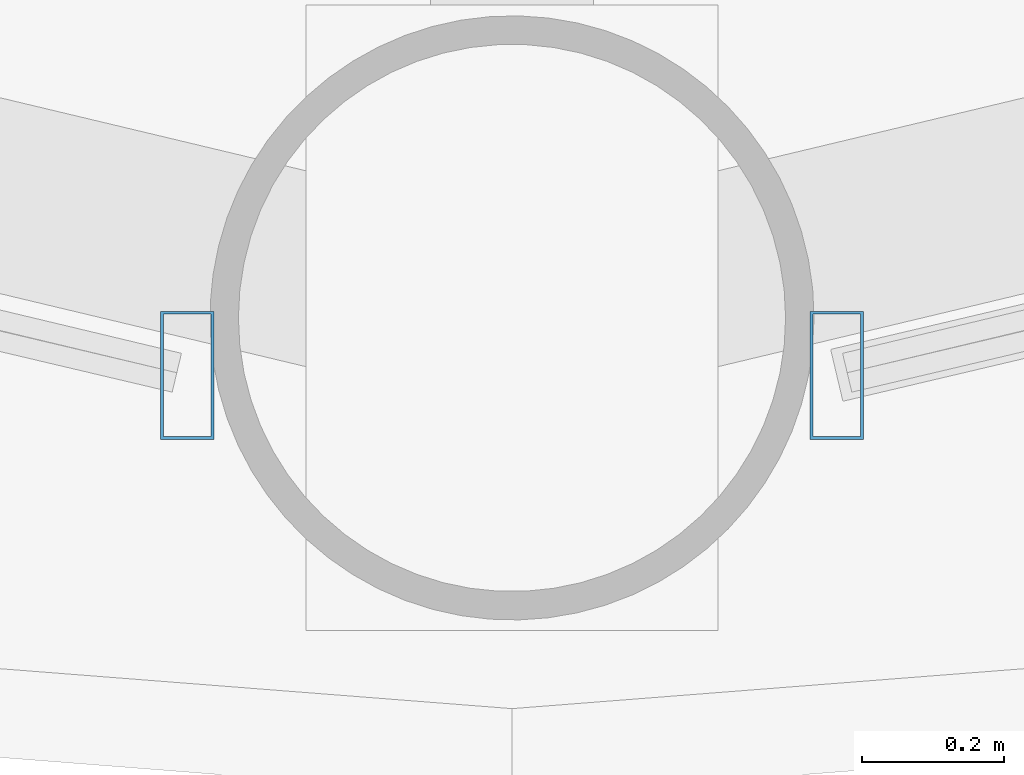
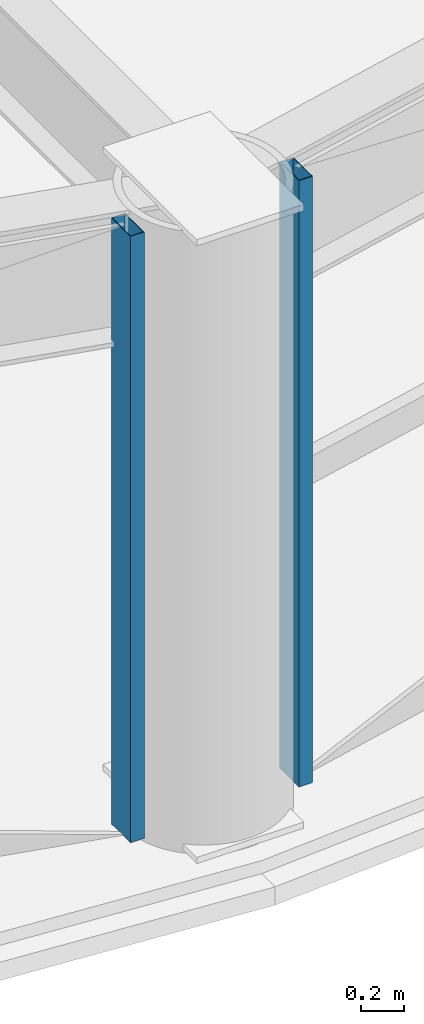
# One storey, part 4 of 30: 2 members, 2 elements without a shape of their own.
"""IFC4 building model written with IfcOpenShell, lengths in metres."""

from ifc_helpers import new_model, si_unit, direction, frame, origin, origin_2d, place, context, subcontext, project, spatial, hollow_rectangle, extrude, material, layer, layer_set, material_profile, profile_set, type_object, element, aggregate, save


model = new_model("IFC4")

# Units and contexts
model_context = context("Model", 3, precision=1e-05, world=origin(), true_north=direction((0.0, 1.0)))
body_context = subcontext(model_context, "Body", "Model", "MODEL_VIEW")
ifc_project = project(units=[si_unit("LENGTHUNIT", "METRE"), si_unit("AREAUNIT", "SQUARE_METRE"), si_unit("VOLUMEUNIT", "CUBIC_METRE"), si_unit("PLANEANGLEUNIT", "RADIAN"), si_unit("MASSUNIT", "GRAM", prefix="KILO")], contexts=[model_context])

# Site, building, storey
site_placement = place(None, origin())
site = spatial("IfcSite", under=ifc_project, at=site_placement, CompositionType="ELEMENT")
building_placement = place(site_placement, origin())
building = spatial("IfcBuilding", under=site, at=building_placement, Name="Vantalir Tower", CompositionType="ELEMENT")
storey_placement = place(building_placement, frame((0.0, 0.0, 83.25)))
storey = spatial("IfcBuildingStorey", under=building, at=storey_placement, Name="L20", CompositionType="ELEMENT", Elevation=83.25)

# Curtain wall, member
ifc_material_1 = material(Name="Champagne-silver PVDF aluminium and double-silver Low-E glass", Category="aluminium")
ifc_layer = layer(ifc_material_1, 0.18994140625)
ifc_layer_set = layer_set([ifc_layer], Name="Champagne-silver PVDF aluminium and double-silver Low-E glass")
curtain_wall_type = type_object("IfcCurtainWallType", Name="CW-DIAMOND-Z1", PredefinedType="USERDEFINED", material=ifc_layer_set)
curtain_wall_1_placement = place(storey_placement, origin())
curtain_wall_1 = element("IfcCurtainWall", 1, at=curtain_wall_1_placement, inside=storey, type_object=curtain_wall_type, Name="L20 Quilted Pyramid-Diamond Curtain Wall S09", ObjectType="UNITISED CURTAIN WALL", PredefinedType="USERDEFINED")
ifc_material_2 = material(Name="Champagne-silver PVDF aluminium 6063-T6", Category="aluminium")
ifc_material_profile = material_profile(ifc_material_2, hollow_rectangle(XDim=0.074951171875, YDim=0.179931640625, WallThickness=0.00390625, at=origin_2d()), Name="Champagne-silver PVDF aluminium 6063-T6")
ifc_profile_set = profile_set([ifc_material_profile], Name="Champagne-silver PVDF aluminium 6063-T6")
member_type = type_object("IfcMemberType", Name="CWM-180x75", PredefinedType="MULLION", material=ifc_profile_set)
member_1_placement = place(storey_placement, frame((31.04296875, 0.424072265625, 0.044921875), z_axis=(0.0, 0.0, 1.0), x_axis=(1.0, 0.0, 0.0)))
member_1 = element("IfcMember", 2, at=member_1_placement, type_object=member_type, Name="CW-L20-S09 Mullion 2", PredefinedType="MULLION", context=body_context, shape_type="SweptSolid", body=[
    extrude(hollow_rectangle(XDim=0.074951171875, YDim=0.179931640625, WallThickness=0.00390625, at=origin_2d()), origin(), (0.0, 0.0, 1.0), 3.47998046875),
])
aggregate(curtain_wall_1, [member_1])

curtain_wall_2_placement = place(storey_placement, origin())
curtain_wall_2 = element("IfcCurtainWall", 3, at=curtain_wall_2_placement, inside=storey, type_object=curtain_wall_type, Name="L20 Quilted Pyramid-Diamond Curtain Wall S10", ObjectType="UNITISED CURTAIN WALL", PredefinedType="USERDEFINED")
member_2_placement = place(storey_placement, frame((31.95703125, 0.424072265625, 0.044921875), z_axis=(0.0, 0.0, 1.0), x_axis=(1.0, 0.0, 0.0)))
member_2 = element("IfcMember", 4, at=member_2_placement, type_object=member_type, Name="CW-L20-S10 Mullion 1", PredefinedType="MULLION", context=body_context, shape_type="SweptSolid", body=[
    extrude(hollow_rectangle(XDim=0.074951171875, YDim=0.179931640625, WallThickness=0.00390625, at=origin_2d()), origin(), (0.0, 0.0, 1.0), 3.47998046875),
])
aggregate(curtain_wall_2, [member_2])

save(model, "model.ifc")
